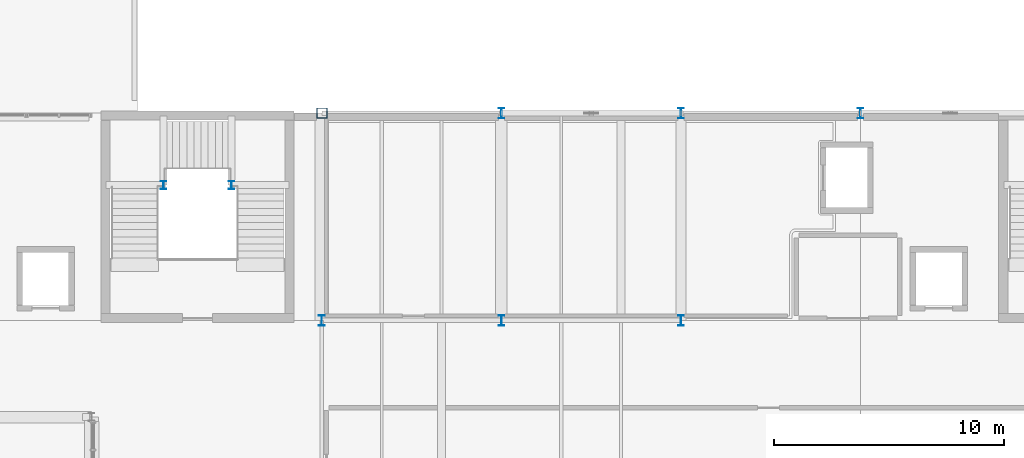
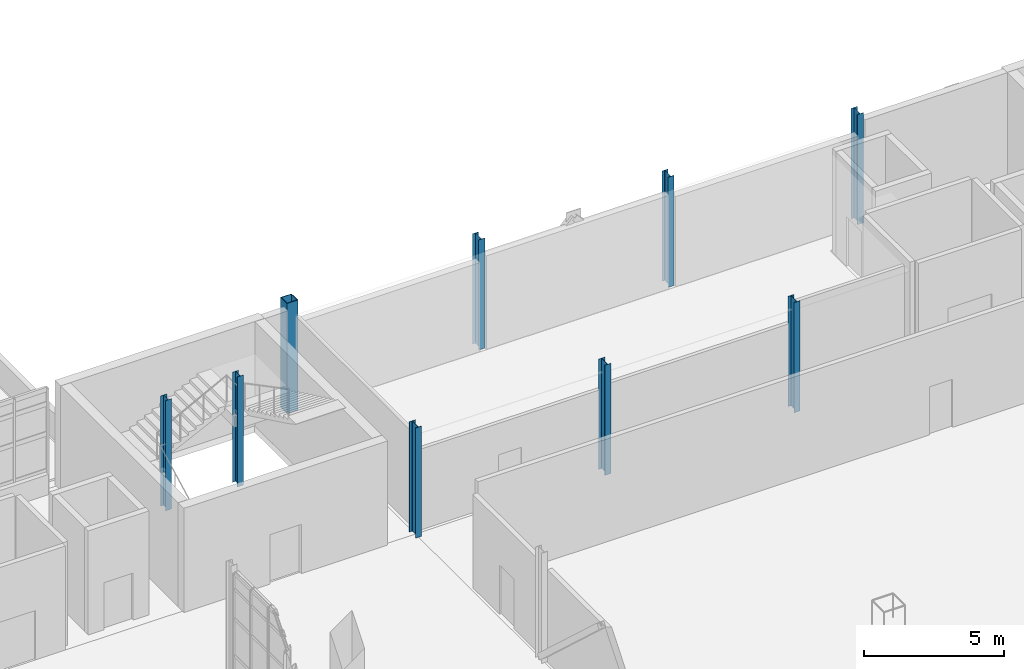
# One storey, part 10 of 127: 9 columns.
"""IFC4 building model written with IfcOpenShell, lengths in metres."""

from ifc_helpers import new_model, si_unit, derived_unit, direction, frame, origin, origin_2d, place, context, subcontext, project, spatial, hollow_rectangle, i_section, extrude, material, material_profile, profile_set, type_object, element, save


model = new_model("IFC4")

# Units and contexts
model_context = context("Model", 3, precision=1e-05, world=origin(), true_north=direction((0.0, 1.0)))
body_context = subcontext(model_context, "Body", "Model", "MODEL_VIEW")
ifc_project = project(units=[si_unit("LENGTHUNIT", "METRE"), si_unit("AREAUNIT", "SQUARE_METRE"), si_unit("VOLUMEUNIT", "CUBIC_METRE"), si_unit("PLANEANGLEUNIT", "RADIAN"), si_unit("MASSUNIT", "GRAM", prefix="KILO"), derived_unit("THERMALTRANSMITTANCEUNIT", [(si_unit("POWERUNIT", "WATT"), 1), (si_unit("LENGTHUNIT", "METRE"), -2), (si_unit("THERMODYNAMICTEMPERATUREUNIT", "KELVIN"), -1)])], contexts=[model_context])

# Site, building, storey
site_placement = place(None, origin())
site = spatial("IfcSite", under=ifc_project, at=site_placement, CompositionType="ELEMENT")
building_placement = place(site_placement, origin())
building = spatial("IfcBuilding", under=site, at=building_placement, Name="Nallur Shell Playhouse", CompositionType="ELEMENT")
storey_placement = place(building_placement, frame((0.0, 0.0, 5.39990234375)))
storey = spatial("IfcBuildingStorey", under=building, at=storey_placement, Name="L02", CompositionType="ELEMENT", Elevation=5.39990234375)

# Columns
ifc_material = material(Name="Steel E350", Category="steel")
ifc_material_profile_1 = material_profile(ifc_material, hollow_rectangle(XDim=0.449951171875, YDim=0.449951171875, WallThickness=0.02001953125, at=origin_2d()), Name="BOX 450x450x20")
ifc_profile_set_1 = profile_set([ifc_material_profile_1], Name="Steel E350")
column_type_1 = type_object("IfcColumnType", Name="CL-ST-BOX450", PredefinedType="COLUMN", material=ifc_profile_set_1)
column_placement = place(storey_placement, frame((64.0, 83.0, 0.0), z_axis=(0.0, 0.0, 1.0), x_axis=(1.0, 0.0, 0.0)))
element("IfcColumn", 1, at=column_placement, inside=storey, type_object=column_type_1, Name="Column 8-K (L02)", PredefinedType="COLUMN", context=body_context, shape_type="SweptSolid", body=[
    extrude(hollow_rectangle(XDim=0.449951171875, YDim=0.449951171875, WallThickness=0.02001953125, at=origin_2d()), origin(), (0.0, 0.0, 1.0), 4.800048828125),
])
ifc_material_profile_2 = material_profile(ifc_material, i_section(OverallWidth=0.25, OverallDepth=0.35009765625, WebThickness=0.010009765625, FlangeThickness=0.01171875, FilletRadius=0.011962890625, at=origin_2d()), Name="ISHB 350")
ifc_profile_set_2 = profile_set([ifc_material_profile_2], Name="Steel E350")
column_type_2 = type_object("IfcColumnType", Name="CL-ST-ISHB350", PredefinedType="COLUMN", material=ifc_profile_set_2)
for number, where, z_axis, x_axis, name in (
    (2, (57.1201171875, 79.8798828125, 0.0), (0.0, 0.0, 1.0), (1.0, 0.0, 0.0), "Column STW-JC-3-W (L02)"),
    (3, (60.080078125, 79.8798828125, 0.0), (0.0, 0.0, 1.0), (1.0, 0.0, 0.0), "Column STW-JC-3-E (L02)"),
):
    element("IfcColumn", number, at=place(storey_placement, frame(where, z_axis=z_axis, x_axis=x_axis)), inside=storey, type_object=column_type_2, Name=name, PredefinedType="COLUMN", context=body_context, shape_type="SweptSolid", body=[
        extrude(i_section(OverallWidth=0.25, OverallDepth=0.35009765625, WebThickness=0.010009765625, FlangeThickness=0.01171875, FilletRadius=0.011962890625, at=origin_2d()), origin(), (0.0, 0.0, 1.0), 4.800048828125),
    ])
ifc_material_profile_3 = material_profile(ifc_material, i_section(OverallWidth=0.25, OverallDepth=0.449951171875, WebThickness=0.01123046875, FlangeThickness=0.013671875, FilletRadius=0.014892578125, at=origin_2d()), Name="ISHB 450")
ifc_profile_set_3 = profile_set([ifc_material_profile_3], Name="Steel E350")
column_type_3 = type_object("IfcColumnType", Name="CL-ST-ISHB450", PredefinedType="COLUMN", material=ifc_profile_set_3)
for number, where, z_axis, x_axis, name in (
    (4, (64.0, 74.0, 0.0), (0.0, 0.0, 1.0), (1.0, 0.0, 0.0), "Column 8-J (L02)"),
    (5, (71.800048828125, 74.0, 0.0), (0.0, 0.0, 1.0), (1.0, 0.0, 0.0), "Column 9-J (L02)"),
    (6, (71.800048828125, 83.0, 0.0), (0.0, 0.0, 1.0), (1.0, 0.0, 0.0), "Column 9-K (L02)"),
    (7, (79.60009765625, 74.0, 0.0), (0.0, 0.0, 1.0), (1.0, 0.0, 0.0), "Column 10-J (L02)"),
    (8, (79.60009765625, 83.0, 0.0), (0.0, 0.0, 1.0), (1.0, 0.0, 0.0), "Column 10-K (L02)"),
    (9, (87.39990234375, 83.0, 0.0), (0.0, 0.0, 1.0), (1.0, 0.0, 0.0), "Column 11-K (L02)"),
):
    element("IfcColumn", number, at=place(storey_placement, frame(where, z_axis=z_axis, x_axis=x_axis)), inside=storey, type_object=column_type_3, Name=name, PredefinedType="COLUMN", context=body_context, shape_type="SweptSolid", body=[
        extrude(i_section(OverallWidth=0.25, OverallDepth=0.449951171875, WebThickness=0.01123046875, FlangeThickness=0.013671875, FilletRadius=0.014892578125, at=origin_2d()), origin(), (0.0, 0.0, 1.0), 4.800048828125),
    ])

save(model, "model.ifc")
